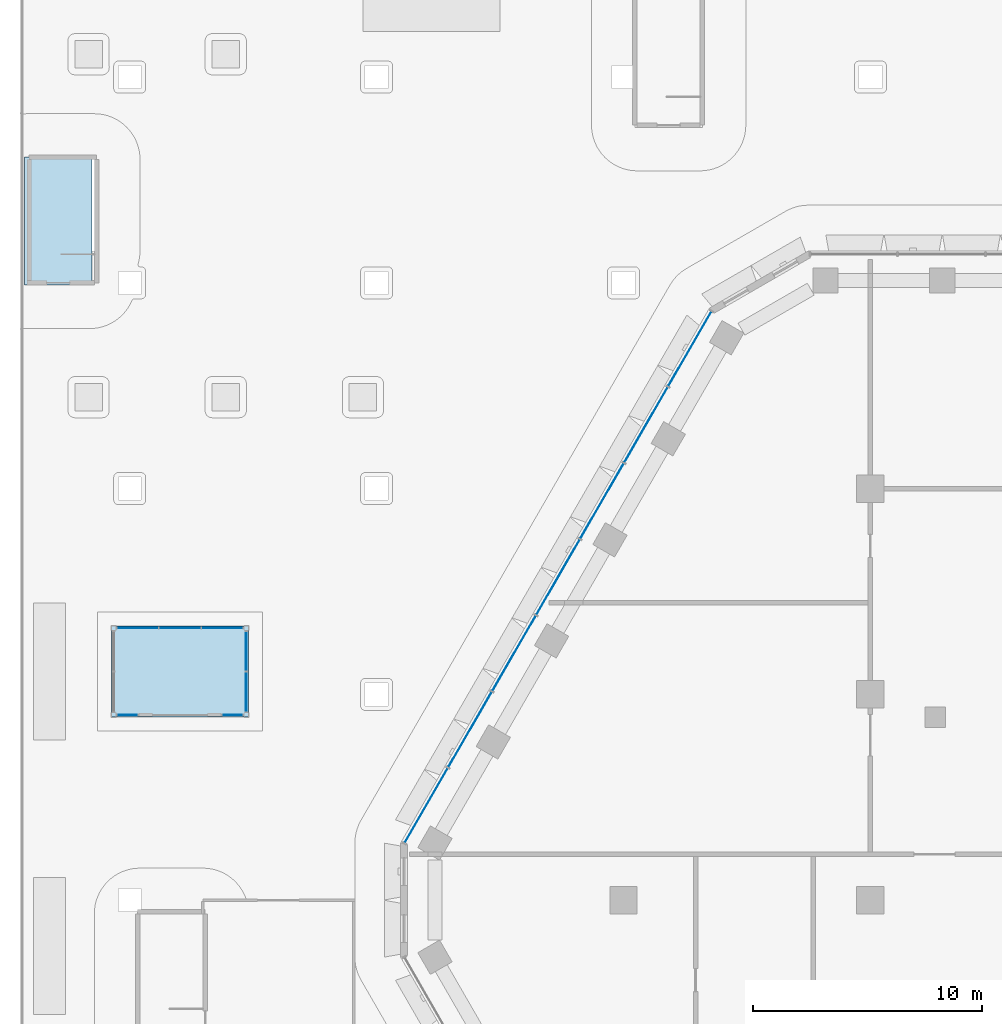
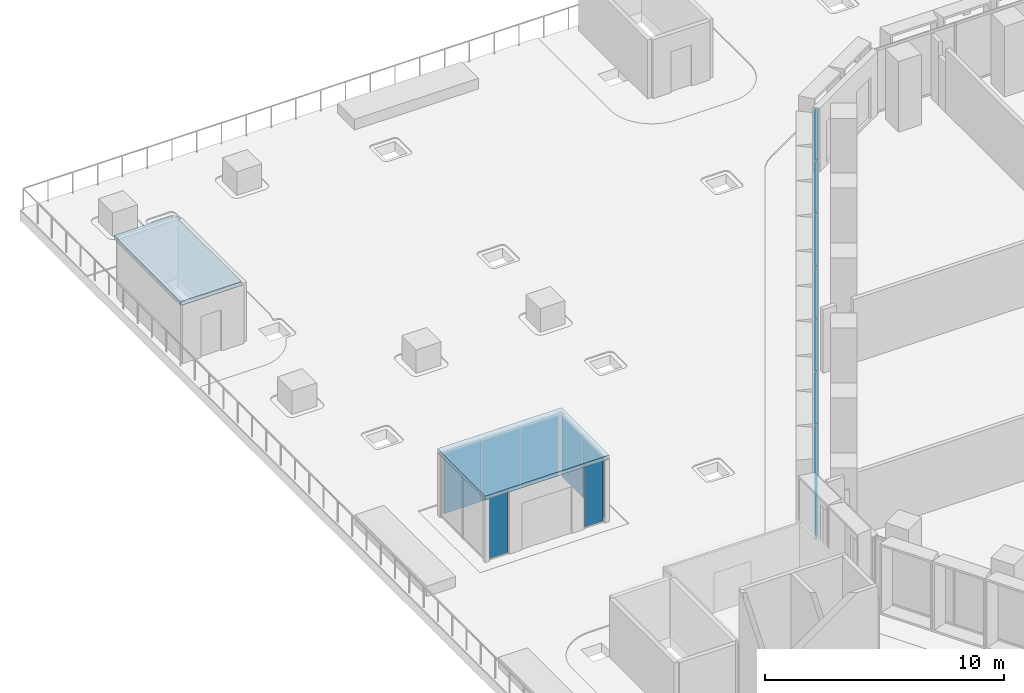
# One storey, part 17 of 38: 14 plates, 2 slabs, 5 elements without a shape of their own.
"""IFC4 building model written with IfcOpenShell, lengths in metres."""

from ifc_helpers import new_model, si_unit, direction, frame, origin, origin_2d, place, context, subcontext, project, spatial, polyline, rectangle, outline, extrude, material, layer, layer_set, type_object, element, aggregate, save


model = new_model("IFC4")

# Units and contexts
model_context = context("Model", 3, precision=1e-05, world=origin(), true_north=direction((0.0, 1.0)))
body_context = subcontext(model_context, "Body", "Model", "MODEL_VIEW")
ifc_project = project(units=[si_unit("LENGTHUNIT", "METRE"), si_unit("AREAUNIT", "SQUARE_METRE"), si_unit("VOLUMEUNIT", "CUBIC_METRE"), si_unit("PLANEANGLEUNIT", "RADIAN"), si_unit("MASSUNIT", "GRAM", prefix="KILO")], contexts=[model_context])

# Site, building, storey
site_placement = place(None, origin())
site = spatial("IfcSite", under=ifc_project, at=site_placement, CompositionType="ELEMENT")
building_placement = place(site_placement, origin())
building = spatial("IfcBuilding", under=site, at=building_placement, Name="Beryl Residences", CompositionType="ELEMENT")
storey_placement = place(building_placement, frame((0.0, 0.0, 9.0)))
storey = spatial("IfcBuildingStorey", under=building, at=storey_placement, Name="L02", CompositionType="ELEMENT", Elevation=9.0)

# Curtain wall, plates
ifc_material_1 = material(Name="Aluminium and clear glass", Category="aluminium")
curtain_wall_type_1 = type_object("IfcCurtainWallType", Name="CW2 amenity glazing glazed wall", PredefinedType="NOTDEFINED", material=ifc_material_1)
curtain_wall_1_placement = place(storey_placement, origin())
curtain_wall_1 = element("IfcCurtainWall", 1, at=curtain_wall_1_placement, inside=storey, type_object=curtain_wall_type_1, Name="CW2 L02 NW", PredefinedType="NOTDEFINED")
ifc_material_2 = material(Name="Clear laminated glass", Category="glass")
ifc_layer_1 = layer(ifc_material_2, 0.028076171875)
ifc_layer_set_1 = layer_set([ifc_layer_1], Name="CW2-P glazing panel 28 mm")
plate_type_1 = type_object("IfcPlateType", Name="CW2-P glazing panel 28 mm", PredefinedType="CURTAIN_PANEL", material=ifc_layer_set_1)
plate_1_placement = place(storey_placement, frame((-18.69970703125, 24.110595703125, 0.06005859375), z_axis=(0.0, 0.0, 1.0), x_axis=(-0.500011643322, -0.866018681405, 0.0)))
plate_1 = element("IfcPlate", 2, at=plate_1_placement, type_object=plate_type_1, Name="CW2 panel 1.1", PredefinedType="CURTAIN_PANEL", context=body_context, shape_type="SweptSolid", body=[
    extrude(rectangle(XDim=3.758544921875, YDim=0.028076171875, at=origin_2d()), origin(), (0.0, 0.0, 1.0), 3.1298828125),
])
plate_2_placement = place(storey_placement, frame((-20.616455078125, 20.790771484375, 0.06005859375), z_axis=(0.0, 0.0, 1.0), x_axis=(-0.500011643322, -0.866018681405, 0.0)))
plate_2 = element("IfcPlate", 3, at=plate_2_placement, type_object=plate_type_1, Name="CW2 panel 2.1", PredefinedType="CURTAIN_PANEL", context=body_context, shape_type="SweptSolid", body=[
    extrude(rectangle(XDim=3.78857421875, YDim=0.028076171875, at=origin_2d()), origin(), (0.0, 0.0, 1.0), 3.1298828125),
])
plate_3_placement = place(storey_placement, frame((-22.540771484375, 17.457763671875, 0.06005859375), z_axis=(0.0, 0.0, 1.0), x_axis=(-0.500011643322, -0.866018681405, 0.0)))
plate_3 = element("IfcPlate", 4, at=plate_3_placement, type_object=plate_type_1, Name="CW2 panel 3.1", PredefinedType="CURTAIN_PANEL", context=body_context, shape_type="SweptSolid", body=[
    extrude(rectangle(XDim=3.78857421875, YDim=0.028076171875, at=origin_2d()), origin(), (0.0, 0.0, 1.0), 3.1298828125),
])
plate_4_placement = place(storey_placement, frame((-24.465087890625, 14.125, 0.06005859375), z_axis=(0.0, 0.0, 1.0), x_axis=(-0.500011643322, -0.866018681405, 0.0)))
plate_4 = element("IfcPlate", 5, at=plate_4_placement, type_object=plate_type_1, Name="CW2 panel 4.1", PredefinedType="CURTAIN_PANEL", context=body_context, shape_type="SweptSolid", body=[
    extrude(rectangle(XDim=3.78857421875, YDim=0.028076171875, at=origin_2d()), origin(), (0.0, 0.0, 1.0), 3.1298828125),
])
plate_5_placement = place(storey_placement, frame((-26.389404296875, 10.792236328125, 0.06005859375), z_axis=(0.0, 0.0, 1.0), x_axis=(-0.500011643322, -0.866018681405, 0.0)))
plate_5 = element("IfcPlate", 6, at=plate_5_placement, type_object=plate_type_1, Name="CW2 panel 5.1", PredefinedType="CURTAIN_PANEL", context=body_context, shape_type="SweptSolid", body=[
    extrude(rectangle(XDim=3.78857421875, YDim=0.028076171875, at=origin_2d()), origin(), (0.0, 0.0, 1.0), 3.1298828125),
])
plate_6_placement = place(storey_placement, frame((-28.3134765625, 7.459228515625, 0.06005859375), z_axis=(0.0, 0.0, 1.0), x_axis=(-0.500011643322, -0.866018681405, 0.0)))
plate_6 = element("IfcPlate", 7, at=plate_6_placement, type_object=plate_type_1, Name="CW2 panel 6.1", PredefinedType="CURTAIN_PANEL", context=body_context, shape_type="SweptSolid", body=[
    extrude(rectangle(XDim=3.78857421875, YDim=0.028076171875, at=origin_2d()), origin(), (0.0, 0.0, 1.0), 3.1298828125),
])
plate_7_placement = place(storey_placement, frame((-30.23046875, 4.139404296875, 0.06005859375), z_axis=(0.0, 0.0, 1.0), x_axis=(-0.500011643322, -0.866018681405, 0.0)))
plate_7 = element("IfcPlate", 8, at=plate_7_placement, type_object=plate_type_1, Name="CW2 panel 7.1", PredefinedType="CURTAIN_PANEL", context=body_context, shape_type="SweptSolid", body=[
    extrude(rectangle(XDim=3.758544921875, YDim=0.028076171875, at=origin_2d()), origin(), (0.0, 0.0, 1.0), 3.1298828125),
])
aggregate(curtain_wall_1, [plate_1, plate_2, plate_3, plate_4, plate_5, plate_6, plate_7])

# Curtain wall, plate
ifc_material_3 = material(Name="Aluminium and clear glass", Category="aluminium")
curtain_wall_type_2 = type_object("IfcCurtainWallType", Name="CW6 garden pavilion glazing glazed wall", PredefinedType="NOTDEFINED", material=ifc_material_3)
curtain_wall_2_placement = place(storey_placement, origin())
curtain_wall_2 = element("IfcCurtainWall", 9, at=curtain_wall_2_placement, inside=storey, type_object=curtain_wall_type_2, Name="CW6 pavilion 1 s0", PredefinedType="NOTDEFINED")
ifc_material_4 = material(Name="Clear laminated glass", Category="glass")
ifc_layer_2 = layer(ifc_material_4, 0.028076171875)
ifc_layer_set_2 = layer_set([ifc_layer_2], Name="CW6-P glazing panel 28 mm")
plate_type_2 = type_object("IfcPlateType", Name="CW6-P glazing panel 28 mm", PredefinedType="CURTAIN_PANEL", material=ifc_layer_set_2)
plate_8_placement = place(storey_placement, frame((-43.300048828125, 8.10009765625, 0.050048828125), z_axis=(0.0, 0.0, 1.0), x_axis=(1.0, 0.0, 0.0)))
plate_8 = element("IfcPlate", 10, at=plate_8_placement, type_object=plate_type_2, Name="CW6 panel 1.1", PredefinedType="CURTAIN_PANEL", context=body_context, shape_type="SweptSolid", body=[
    extrude(rectangle(XDim=0.89990234375, YDim=0.028076171875, at=origin_2d()), origin(), (0.0, 0.0, 1.0), 3.10009765625),
])
aggregate(curtain_wall_2, [plate_8])

curtain_wall_3_placement = place(storey_placement, origin())
curtain_wall_3 = element("IfcCurtainWall", 11, at=curtain_wall_3_placement, inside=storey, type_object=curtain_wall_type_2, Name="CW6 pavilion 1 s2", PredefinedType="NOTDEFINED")
plate_9_placement = place(storey_placement, frame((-38.699951171875, 8.10009765625, 0.050048828125), z_axis=(0.0, 0.0, 1.0), x_axis=(1.0, 0.0, 0.0)))
plate_9 = element("IfcPlate", 12, at=plate_9_placement, type_object=plate_type_2, Name="CW6 panel 1.1", PredefinedType="CURTAIN_PANEL", context=body_context, shape_type="SweptSolid", body=[
    extrude(rectangle(XDim=0.89990234375, YDim=0.028076171875, at=origin_2d()), origin(), (0.0, 0.0, 1.0), 3.10009765625),
])
aggregate(curtain_wall_3, [plate_9])

# Curtain wall, plates
curtain_wall_4_placement = place(storey_placement, origin())
curtain_wall_4 = element("IfcCurtainWall", 13, at=curtain_wall_4_placement, inside=storey, type_object=curtain_wall_type_2, Name="CW6 pavilion 1 e", PredefinedType="NOTDEFINED")
plate_10_placement = place(storey_placement, frame((-38.10009765625, 9.112548828125, 0.050048828125), z_axis=(0.0, 0.0, 1.0), x_axis=(0.0, 1.0, 0.0)))
plate_10 = element("IfcPlate", 14, at=plate_10_placement, type_object=plate_type_2, Name="CW6 panel 1.1", PredefinedType="CURTAIN_PANEL", context=body_context, shape_type="SweptSolid", body=[
    extrude(rectangle(XDim=1.72509765625, YDim=0.028076171875, at=origin_2d()), origin(), (0.0, 0.0, 1.0), 3.10009765625),
])
plate_11_placement = place(storey_placement, frame((-38.10009765625, 10.887451171875, 0.050048828125), z_axis=(0.0, 0.0, 1.0), x_axis=(0.0, 1.0, 0.0)))
plate_11 = element("IfcPlate", 15, at=plate_11_placement, type_object=plate_type_2, Name="CW6 panel 2.1", PredefinedType="CURTAIN_PANEL", context=body_context, shape_type="SweptSolid", body=[
    extrude(rectangle(XDim=1.72509765625, YDim=0.028076171875, at=origin_2d()), origin(), (0.0, 0.0, 1.0), 3.10009765625),
])
aggregate(curtain_wall_4, [plate_10, plate_11])

curtain_wall_5_placement = place(storey_placement, origin())
curtain_wall_5 = element("IfcCurtainWall", 16, at=curtain_wall_5_placement, inside=storey, type_object=curtain_wall_type_2, Name="CW6 pavilion 1 n", PredefinedType="NOTDEFINED")
plate_12_placement = place(storey_placement, frame((-39.145751953125, 11.89990234375, 0.050048828125), z_axis=(0.0, 0.0, 1.0), x_axis=(-1.0, 0.0, 0.0)))
plate_12 = element("IfcPlate", 17, at=plate_12_placement, type_object=plate_type_2, Name="CW6 panel 1.1", PredefinedType="CURTAIN_PANEL", context=body_context, shape_type="SweptSolid", body=[
    extrude(rectangle(XDim=1.791748046875, YDim=0.028076171875, at=origin_2d()), origin(), (0.0, 0.0, 1.0), 3.10009765625),
])
plate_13_placement = place(storey_placement, frame((-41.0, 11.89990234375, 0.050048828125), z_axis=(0.0, 0.0, 1.0), x_axis=(-1.0, 0.0, 0.0)))
plate_13 = element("IfcPlate", 18, at=plate_13_placement, type_object=plate_type_2, Name="CW6 panel 2.1", PredefinedType="CURTAIN_PANEL", context=body_context, shape_type="SweptSolid", body=[
    extrude(rectangle(XDim=1.816650390625, YDim=0.028076171875, at=origin_2d()), origin(), (0.0, 0.0, 1.0), 3.10009765625),
])
plate_14_placement = place(storey_placement, frame((-42.854248046875, 11.89990234375, 0.050048828125), z_axis=(0.0, 0.0, 1.0), x_axis=(-1.0, 0.0, 0.0)))
plate_14 = element("IfcPlate", 19, at=plate_14_placement, type_object=plate_type_2, Name="CW6 panel 3.1", PredefinedType="CURTAIN_PANEL", context=body_context, shape_type="SweptSolid", body=[
    extrude(rectangle(XDim=1.791748046875, YDim=0.028076171875, at=origin_2d()), origin(), (0.0, 0.0, 1.0), 3.10009765625),
])
aggregate(curtain_wall_5, [plate_12, plate_13, plate_14])

# Slabs
ifc_material_5 = material(Name="Precast concrete C40/50", Category="concrete")
ifc_layer_3 = layer(ifc_material_5, 0.199951171875)
ifc_layer_set_3 = layer_set([ifc_layer_3], Name="PR1 pavilion roof 200 mm")
slab_type_1 = type_object("IfcSlabType", Name="PR1 pavilion roof 200 mm", PredefinedType="ROOF", material=ifc_layer_set_3)
slab_1_placement = place(storey_placement, frame((0.0, 0.0, 3.199951171875)))
element("IfcSlab", 20, at=slab_1_placement, inside=storey, type_object=slab_type_1, Name="PR1 pavilion roof 1", PredefinedType="ROOF", context=body_context, shape_type="SweptSolid", body=[
    extrude(outline(polyline([(-44.0, 8.0), (-38.0, 8.0), (-38.0, 12.0), (-44.0, 12.0), (-44.0, 8.0)])), origin(), (0.0, 0.0, 1.0), 0.199951171875),
])
ifc_material_6 = material(Name="Concrete C40/50", Category="concrete")
ifc_layer_4 = layer(ifc_material_6, 0.199951171875)
ifc_layer_set_4 = layer_set([ifc_layer_4], Name="SX2 roof slab 200 mm Concrete C40/50")
slab_type_2 = type_object("IfcSlabType", Name="SX2 roof slab 200 mm Concrete C40/50", PredefinedType="ROOF", material=ifc_layer_set_4)
slab_2_placement = place(storey_placement, frame((0.0, 0.0, 3.0)))
element("IfcSlab", 21, at=slab_2_placement, inside=storey, type_object=slab_type_2, Name="Slab SX2 L02 003", PredefinedType="ROOF", context=body_context, shape_type="SweptSolid", body=[
    extrude(outline(polyline([(-44.85009765625, 26.89990234375), (-44.85009765625, 32.5), (-47.800048828125, 32.5), (-47.800048828125, 26.89990234375), (-44.85009765625, 26.89990234375)])), origin(), (0.0, 0.0, 1.0), 0.199951171875),
])

save(model, "model.ifc")
